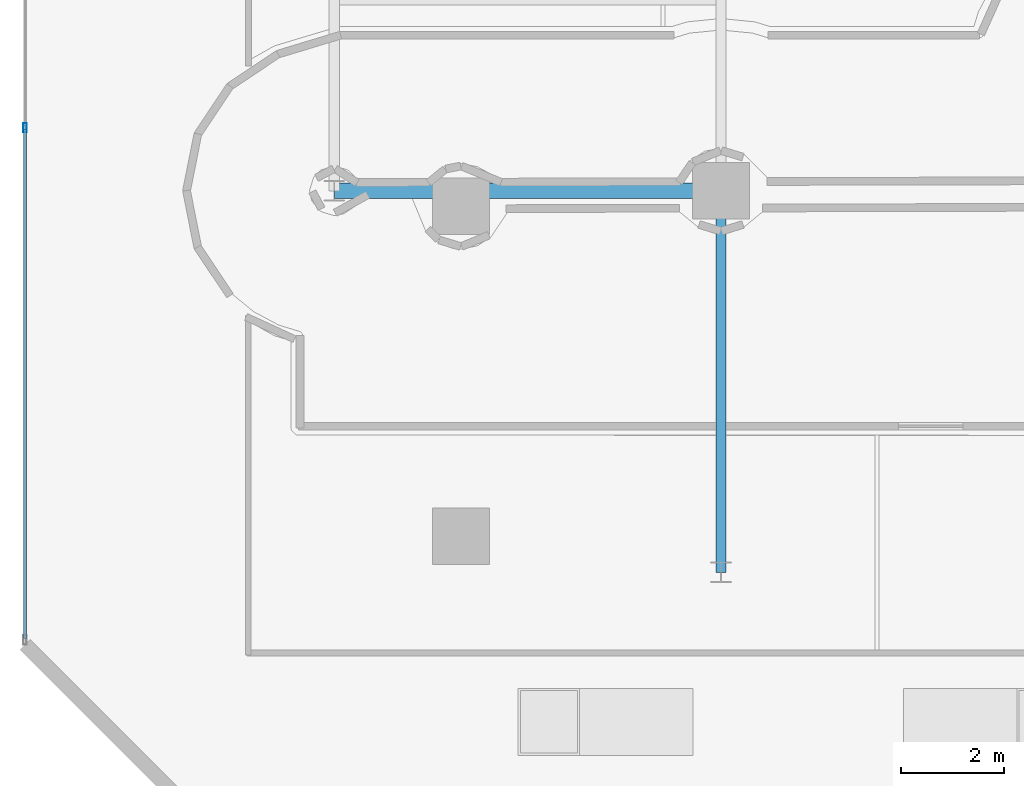
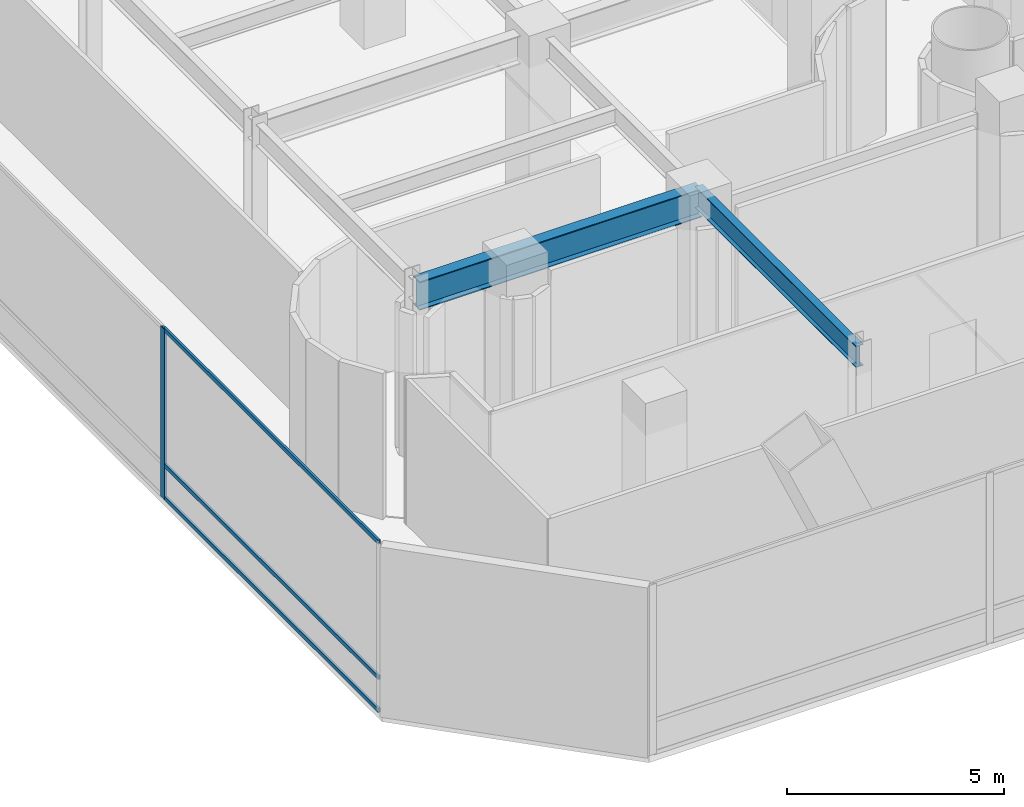
# One storey, part 6 of 42: 4 members, 2 beams, 1 element without a shape of its own.
"""IFC4 building model written with IfcOpenShell, lengths in metres."""

from ifc_helpers import new_model, si_unit, direction, frame, origin, origin_2d, place, context, subcontext, project, spatial, hollow_rectangle, i_section, extrude, material, layer, layer_set, material_profile, profile_set, type_object, element, aggregate, save


model = new_model("IFC4")

# Units and contexts
model_context = context("Model", 3, precision=1e-05, world=origin(), true_north=direction((0.0, 1.0)))
body_context = subcontext(model_context, "Body", "Model", "MODEL_VIEW")
ifc_project = project(units=[si_unit("LENGTHUNIT", "METRE"), si_unit("AREAUNIT", "SQUARE_METRE"), si_unit("VOLUMEUNIT", "CUBIC_METRE"), si_unit("PLANEANGLEUNIT", "RADIAN"), si_unit("MASSUNIT", "GRAM", prefix="KILO")], contexts=[model_context])

# Site, building, storey
site_placement = place(None, origin())
site = spatial("IfcSite", under=ifc_project, at=site_placement, CompositionType="ELEMENT")
building_placement = place(site_placement, origin())
building = spatial("IfcBuilding", under=site, at=building_placement, Name="Qianvela Tower", CompositionType="ELEMENT")
storey_placement = place(building_placement, frame((0.0, 0.0, 6.0)))
storey = spatial("IfcBuildingStorey", under=building, at=storey_placement, Name="L01", CompositionType="ELEMENT", Elevation=6.0)

# Beams
ifc_material_1 = material(Name="Steel Q355B", Category="steel")
ifc_material_profile_1 = material_profile(ifc_material_1, i_section(OverallWidth=0.199951171875, OverallDepth=0.60009765625, WebThickness=0.010986328125, FlangeThickness=0.01708984375, at=origin_2d()), Name="HN600x200x11x17")
ifc_profile_set_1 = profile_set([ifc_material_profile_1], Name="Steel Q355B")
beam_type_1 = type_object("IfcBeamType", Name="BM-HN600-GIRD", PredefinedType="BEAM", material=ifc_profile_set_1)
beam_1_placement = place(storey_placement, frame((15.0, 7.39990234375, 4.47802734375), z_axis=(0.0, 1.0, 0.0), x_axis=(-1.0, 0.0, 0.0)))
element("IfcBeam", 1, at=beam_1_placement, inside=storey, type_object=beam_type_1, Name="L01 North-South Grid Girder 19", PredefinedType="BEAM", context=body_context, shape_type="SweptSolid", body=[
    extrude(i_section(OverallWidth=0.199951171875, OverallDepth=0.60009765625, WebThickness=0.010986328125, FlangeThickness=0.01708984375, at=origin_2d()), origin(), (0.0, 0.0, 1.0), 7.400146484375),
])
ifc_material_2 = material(Name="Steel Q355B", Category="steel")
ifc_material_profile_2 = material_profile(ifc_material_2, i_section(OverallWidth=0.300048828125, OverallDepth=0.800048828125, WebThickness=0.013916015625, FlangeThickness=0.02587890625, at=origin_2d()), Name="HN800x300x14x26")
ifc_profile_set_2 = profile_set([ifc_material_profile_2], Name="Steel Q355B")
beam_type_2 = type_object("IfcBeamType", Name="BM-HN800-SPAND", PredefinedType="SPANDREL", material=ifc_profile_set_2)
beam_2_placement = place(storey_placement, frame((7.5, 14.800048828125, 4.3779296875), z_axis=(1.0, 0.0, 0.0), x_axis=(0.0, 1.0, 0.0)))
element("IfcBeam", 2, at=beam_2_placement, inside=storey, type_object=beam_type_2, Name="L01 East-West Grid Girder 1", PredefinedType="SPANDREL", context=body_context, shape_type="SweptSolid", body=[
    extrude(i_section(OverallWidth=0.300048828125, OverallDepth=0.800048828125, WebThickness=0.013916015625, FlangeThickness=0.02587890625, at=origin_2d()), origin(), (0.0, 0.0, 1.0), 7.5),
])

# Curtain wall, members
ifc_material_3 = material(Name="Anodised Architectural Aluminium and Low-E Glass", Category="aluminium")
ifc_layer = layer(ifc_material_3, 0.179931640625)
ifc_layer_set = layer_set([ifc_layer], Name="Anodised Architectural Aluminium and Low-E Glass")
curtain_wall_type = type_object("IfcCurtainWallType", Name="CW-COMMONS", PredefinedType="USERDEFINED", material=ifc_layer_set)
curtain_wall_placement = place(storey_placement, origin())
curtain_wall = element("IfcCurtainWall", 3, at=curtain_wall_placement, inside=storey, type_object=curtain_wall_type, Name="L01 CW-COMMONS Curtain Wall 07", ObjectType="CURTAIN_WALL_SYSTEM", PredefinedType="USERDEFINED")
ifc_material_4 = material(Name="Anodised Architectural Aluminium 6063-T6", Category="aluminium")
ifc_material_profile_3 = material_profile(ifc_material_4, hollow_rectangle(XDim=0.070068359375, YDim=0.179931640625, WallThickness=0.0048828125, at=origin_2d()), Name="ALU-MULL-70x180")
ifc_profile_set_3 = profile_set([ifc_material_profile_3], Name="Anodised Architectural Aluminium 6063-T6")
member_type_1 = type_object("IfcMemberType", Name="CW-COMMONS-MULL", PredefinedType="MULLION", material=ifc_profile_set_3)
member_1_placement = place(storey_placement, frame((1.5, 16.02490234375, 0.0), z_axis=(0.0, 0.0, 1.0), x_axis=(1.0, 0.0, 0.0)))
member_1 = element("IfcMember", 4, at=member_1_placement, type_object=member_type_1, Name="CW-2 mullion 4", PredefinedType="MULLION", context=body_context, shape_type="SweptSolid", body=[
    extrude(hollow_rectangle(XDim=0.070068359375, YDim=0.179931640625, WallThickness=0.0048828125, at=origin_2d()), origin(), (0.0, 0.0, 1.0), 4.780029296875),
])
ifc_material_5 = material(Name="Anodised Architectural Aluminium 6063-T6", Category="aluminium")
ifc_material_profile_4 = material_profile(ifc_material_5, hollow_rectangle(XDim=0.06005859375, YDim=0.114990234375, WallThickness=0.00390625, at=origin_2d()), Name="ALU-TRAN-60x115")
ifc_profile_set_4 = profile_set([ifc_material_profile_4], Name="Anodised Architectural Aluminium 6063-T6")
member_type_2 = type_object("IfcMemberType", Name="CW-COMMONS-TRAN", PredefinedType="USERDEFINED", material=ifc_profile_set_4)
member_2_placement = place(storey_placement, frame((1.5, 15.989990234375, 0.030029296875), z_axis=(0.0, -1.0, 0.0), x_axis=(1.0, 0.0, 0.0)))
member_2 = element("IfcMember", 5, at=member_2_placement, type_object=member_type_2, Name="CW-2 transom 4.1", ObjectType="TRANSOM", PredefinedType="USERDEFINED", context=body_context, shape_type="SweptSolid", body=[
    extrude(hollow_rectangle(XDim=0.06005859375, YDim=0.114990234375, WallThickness=0.00390625, at=origin_2d()), origin(), (0.0, 0.0, 1.0), 9.869873046875),
])
member_3_placement = place(storey_placement, frame((1.5, 15.989990234375, 0.949951171875), z_axis=(0.0, -1.0, 0.0), x_axis=(1.0, 0.0, 0.0)))
member_3 = element("IfcMember", 6, at=member_3_placement, type_object=member_type_2, Name="CW-2 transom 4.2", ObjectType="TRANSOM", PredefinedType="USERDEFINED", context=body_context, shape_type="SweptSolid", body=[
    extrude(hollow_rectangle(XDim=0.06005859375, YDim=0.114990234375, WallThickness=0.00390625, at=origin_2d()), origin(), (0.0, 0.0, 1.0), 9.869873046875),
])
member_4_placement = place(storey_placement, frame((1.5, 15.989990234375, 4.75), z_axis=(0.0, -1.0, 0.0), x_axis=(1.0, 0.0, 0.0)))
member_4 = element("IfcMember", 7, at=member_4_placement, type_object=member_type_2, Name="CW-2 transom 4.3", ObjectType="TRANSOM", PredefinedType="USERDEFINED", context=body_context, shape_type="SweptSolid", body=[
    extrude(hollow_rectangle(XDim=0.06005859375, YDim=0.114990234375, WallThickness=0.00390625, at=origin_2d()), origin(), (0.0, 0.0, 1.0), 9.869873046875),
])
aggregate(curtain_wall, [member_1, member_2, member_3, member_4])

save(model, "model.ifc")
